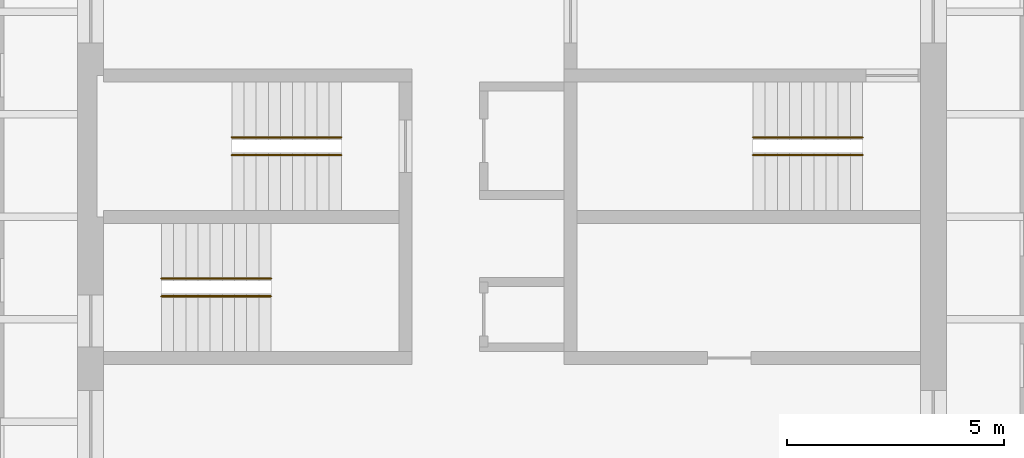
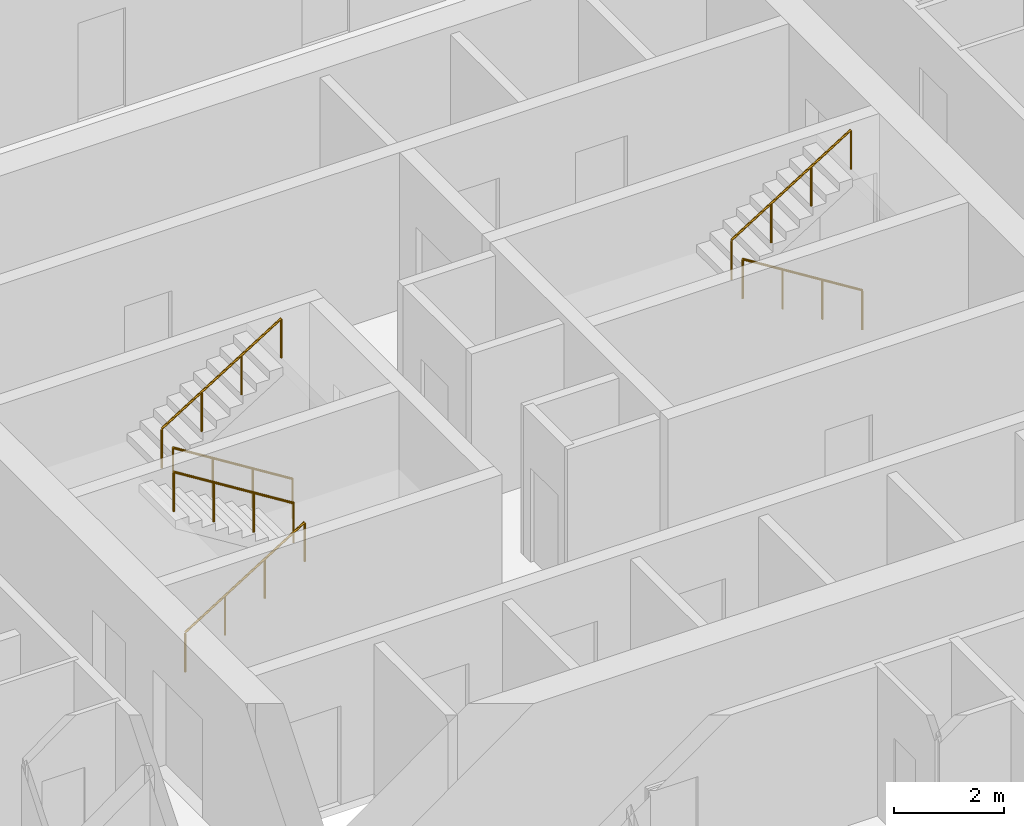
# One storey, part 9 of 9: 6 railings.
"""IFC4 building model written with IfcOpenShell, lengths in metres."""

from ifc_helpers import new_model, si_unit, direction, frame, origin, origin_2d, place, context, subcontext, project, spatial, circle, extrude, material, type_object, element, save


model = new_model("IFC4")

# Units and contexts
model_context = context("Model", 3, precision=1e-05, world=origin(), true_north=direction((0.0, 1.0)))
body_context = subcontext(model_context, "Body", "Model", "MODEL_VIEW")
ifc_project = project(units=[si_unit("LENGTHUNIT", "METRE"), si_unit("AREAUNIT", "SQUARE_METRE"), si_unit("VOLUMEUNIT", "CUBIC_METRE"), si_unit("PLANEANGLEUNIT", "RADIAN"), si_unit("MASSUNIT", "GRAM", prefix="KILO")], contexts=[model_context])

# Site, building, storey
site_placement = place(None, origin())
site = spatial("IfcSite", under=ifc_project, at=site_placement, CompositionType="ELEMENT")
building_placement = place(site_placement, origin())
building = spatial("IfcBuilding", under=site, at=building_placement, Name="Turquesa Mirador Hotel Tower", CompositionType="ELEMENT")
storey_placement = place(building_placement, frame((0.0, 0.0, 175.800048828125)))
storey = spatial("IfcBuildingStorey", under=building, at=storey_placement, Name="L47", CompositionType="ELEMENT", Elevation=175.800048828125)

# Railings
ifc_material = material(Name="Painted steel handrail", Category="steel")
railing_type = type_object("IfcRailingType", Name="HANDRAIL 900 STEEL", PredefinedType="HANDRAIL", material=ifc_material)
railing_1_placement = place(storey_placement, frame((51.070068359375, 46.419921875, 0.175048828125)))
element("IfcRailing", 1, at=railing_1_placement, inside=storey, type_object=railing_type, Name="Handrail ST1", PredefinedType="HANDRAIL", context=body_context, shape_type="SweptSolid", body=[
    extrude(circle(Radius=0.02392578125, at=origin_2d()), frame((0.0, 0.0, 0.8759765625), z_axis=(-0.848007534815, 0.0, 0.529984170421), x_axis=(0.0, -1.0, 0.0)), (0.0, 0.0, 1.0), 2.9716796875),
    extrude(circle(Radius=0.02099609375, at=origin_2d()), origin(), (0.0, 0.0, 1.0), 0.851806640625),
    extrude(circle(Radius=0.02099609375, at=origin_2d()), frame((-0.840087890625, 0.0, 0.52490234375)), (0.0, 0.0, 1.0), 0.851806640625),
    extrude(circle(Radius=0.02099609375, at=origin_2d()), frame((-1.679931640625, 0.0, 1.050048828125)), (0.0, 0.0, 1.0), 0.851806640625),
    extrude(circle(Radius=0.02099609375, at=origin_2d()), frame((-2.52001953125, 0.0, 1.574951171875)), (0.0, 0.0, 1.0), 0.851806640625),
])
for number, where, name in (
    (2, (48.550048828125, 46.830078125, 1.925048828125), "Handrail ST1"),
    (3, (46.929931640625, 43.169921875, 0.175048828125), "Handrail ST2"),
):
    element("IfcRailing", number, at=place(storey_placement, frame(where)), inside=storey, type_object=railing_type, Name=name, PredefinedType="HANDRAIL", context=body_context, shape_type="SweptSolid", body=[
        extrude(circle(Radius=0.02392578125, at=origin_2d()), frame((0.0, 0.0, 0.8759765625), z_axis=(0.848007534815, 0.0, 0.529984170421), x_axis=(0.0, 1.0, 0.0)), (0.0, 0.0, 1.0), 2.9716796875),
        extrude(circle(Radius=0.02099609375, at=origin_2d()), origin(), (0.0, 0.0, 1.0), 0.851806640625),
        extrude(circle(Radius=0.02099609375, at=origin_2d()), frame((0.840087890625, 0.0, 0.52490234375)), (0.0, 0.0, 1.0), 0.851806640625),
        extrude(circle(Radius=0.02099609375, at=origin_2d()), frame((1.679931640625, 0.0, 1.050048828125)), (0.0, 0.0, 1.0), 0.851806640625),
        extrude(circle(Radius=0.02099609375, at=origin_2d()), frame((2.52001953125, 0.0, 1.574951171875)), (0.0, 0.0, 1.0), 0.851806640625),
    ])
for number, where, name in (
    (4, (49.449951171875, 43.580078125, 1.925048828125), "Handrail ST2"),
    (5, (63.070068359375, 46.419921875, 0.175048828125), "Handrail ST3"),
):
    element("IfcRailing", number, at=place(storey_placement, frame(where)), inside=storey, type_object=railing_type, Name=name, PredefinedType="HANDRAIL", context=body_context, shape_type="SweptSolid", body=[
        extrude(circle(Radius=0.02392578125, at=origin_2d()), frame((0.0, 0.0, 0.8759765625), z_axis=(-0.848007534815, 0.0, 0.529984170421), x_axis=(0.0, -1.0, 0.0)), (0.0, 0.0, 1.0), 2.9716796875),
        extrude(circle(Radius=0.02099609375, at=origin_2d()), origin(), (0.0, 0.0, 1.0), 0.851806640625),
        extrude(circle(Radius=0.02099609375, at=origin_2d()), frame((-0.840087890625, 0.0, 0.52490234375)), (0.0, 0.0, 1.0), 0.851806640625),
        extrude(circle(Radius=0.02099609375, at=origin_2d()), frame((-1.679931640625, 0.0, 1.050048828125)), (0.0, 0.0, 1.0), 0.851806640625),
        extrude(circle(Radius=0.02099609375, at=origin_2d()), frame((-2.52001953125, 0.0, 1.574951171875)), (0.0, 0.0, 1.0), 0.851806640625),
    ])
railing_2_placement = place(storey_placement, frame((60.550048828125, 46.830078125, 1.925048828125)))
element("IfcRailing", 6, at=railing_2_placement, inside=storey, type_object=railing_type, Name="Handrail ST3", PredefinedType="HANDRAIL", context=body_context, shape_type="SweptSolid", body=[
    extrude(circle(Radius=0.02392578125, at=origin_2d()), frame((0.0, 0.0, 0.8759765625), z_axis=(0.848007534815, 0.0, 0.529984170421), x_axis=(0.0, 1.0, 0.0)), (0.0, 0.0, 1.0), 2.9716796875),
    extrude(circle(Radius=0.02099609375, at=origin_2d()), origin(), (0.0, 0.0, 1.0), 0.851806640625),
    extrude(circle(Radius=0.02099609375, at=origin_2d()), frame((0.840087890625, 0.0, 0.52490234375)), (0.0, 0.0, 1.0), 0.851806640625),
    extrude(circle(Radius=0.02099609375, at=origin_2d()), frame((1.679931640625, 0.0, 1.050048828125)), (0.0, 0.0, 1.0), 0.851806640625),
    extrude(circle(Radius=0.02099609375, at=origin_2d()), frame((2.52001953125, 0.0, 1.574951171875)), (0.0, 0.0, 1.0), 0.851806640625),
])

save(model, "model.ifc")
